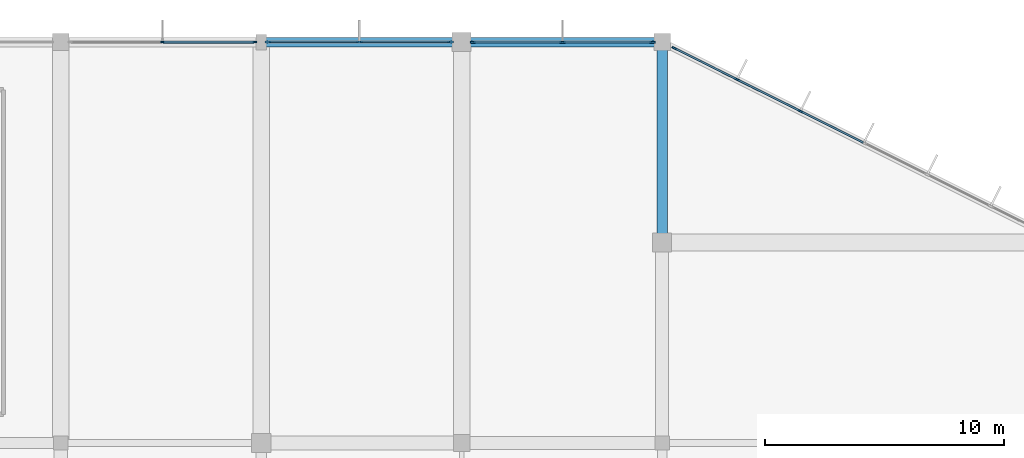
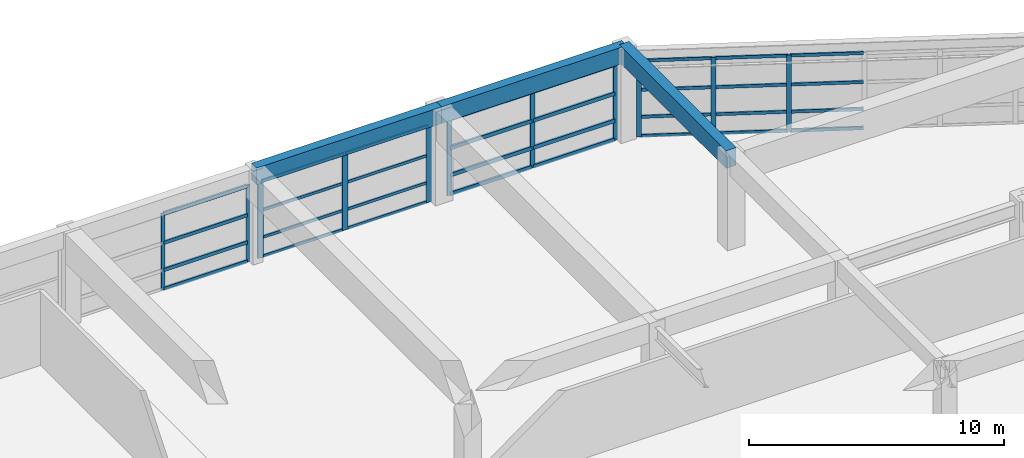
# One storey, part 41 of 65: 43 members, 3 beams, 4 elements without a shape of their own.
"""IFC4 building model written with IfcOpenShell, lengths in metres."""

from ifc_helpers import new_model, si_unit, direction, frame, origin, origin_2d, place, context, subcontext, project, spatial, rectangle, extrude, material, material_profile, profile_set, type_object, element, aggregate, save


model = new_model("IFC4")

# Units and contexts
model_context = context("Model", 3, precision=1e-05, world=origin(), true_north=direction((0.0, 1.0)))
body_context = subcontext(model_context, "Body", "Model", "MODEL_VIEW")
ifc_project = project(units=[si_unit("LENGTHUNIT", "METRE"), si_unit("AREAUNIT", "SQUARE_METRE"), si_unit("VOLUMEUNIT", "CUBIC_METRE"), si_unit("PLANEANGLEUNIT", "RADIAN"), si_unit("MASSUNIT", "GRAM", prefix="KILO")], contexts=[model_context])

# Site, building, storey
site_placement = place(None, origin())
site = spatial("IfcSite", under=ifc_project, at=site_placement, CompositionType="ELEMENT")
building_placement = place(site_placement, origin())
building = spatial("IfcBuilding", under=site, at=building_placement, Name="Xuanlan Plaza Opera House", CompositionType="ELEMENT")
storey_placement = place(building_placement, frame((0.0, 0.0, 5.39990234375)))
storey = spatial("IfcBuildingStorey", under=building, at=storey_placement, Name="L01", CompositionType="ELEMENT", Elevation=5.39990234375)

# Curtain wall, members
ifc_material_1 = material(Name="Anodised Aluminium 6063-T6 and Low-E Glass", Category="aluminium")
curtain_wall_type_1 = type_object("IfcCurtainWallType", Name="ENV-CW-CW-06", PredefinedType="USERDEFINED", material=ifc_material_1)
curtain_wall_1_placement = place(storey_placement, origin())
curtain_wall_1 = element("IfcCurtainWall", 1, at=curtain_wall_1_placement, inside=storey, type_object=curtain_wall_type_1, Name="Acoustic Glazed Wall L01-033", ObjectType="ACOUSTIC GLAZED WALL", PredefinedType="USERDEFINED")
ifc_material_2 = material(Name="Anodised Aluminium 6063-T6", Category="aluminium")
ifc_material_profile_1 = material_profile(ifc_material_2, rectangle(XDim=0.06494140625, YDim=0.159912109375, at=origin_2d()), Name="ALU-M 65x160")
ifc_profile_set_1 = profile_set([ifc_material_profile_1], Name="Anodised Aluminium 6063-T6")
member_type_1 = type_object("IfcMemberType", Name="ENV-CWM-01", PredefinedType="MULLION", material=ifc_profile_set_1)
member_1_placement = place(storey_placement, frame((134.12255859375, 117.60009765625, 0.0), z_axis=(0.0, 0.0, 1.0), x_axis=(0.0, -1.0, 0.0)))
member_1 = element("IfcMember", 2, at=member_1_placement, type_object=member_type_1, Name="CW-06 mullion 1", PredefinedType="MULLION", context=body_context, shape_type="SweptSolid", body=[
    extrude(rectangle(XDim=0.06494140625, YDim=0.159912109375, at=origin_2d()), origin(), (0.0, 0.0, 1.0), 3.68017578125),
])
member_2_placement = place(storey_placement, frame((130.262451171875, 117.60009765625, 0.0), z_axis=(0.0, 0.0, 1.0), x_axis=(0.0, -1.0, 0.0)))
member_2 = element("IfcMember", 3, at=member_2_placement, type_object=member_type_1, Name="CW-06 mullion 2", PredefinedType="MULLION", context=body_context, shape_type="SweptSolid", body=[
    extrude(rectangle(XDim=0.06494140625, YDim=0.159912109375, at=origin_2d()), origin(), (0.0, 0.0, 1.0), 3.68017578125),
])

curtain_wall_type_2 = type_object("IfcCurtainWallType", Name="ENV-CW-CW-01", PredefinedType="USERDEFINED", material=ifc_material_1)
curtain_wall_2_placement = place(storey_placement, origin())
curtain_wall_2 = element("IfcCurtainWall", 4, at=curtain_wall_2_placement, inside=storey, type_object=curtain_wall_type_2, Name="Unitised Curtain Wall L01-030", ObjectType="UNITISED CURTAIN WALL", PredefinedType="USERDEFINED")
ifc_material_profile_2 = material_profile(ifc_material_2, rectangle(XDim=0.074951171875, YDim=0.199951171875, at=origin_2d()), Name="ALU-M 75x200")
ifc_profile_set_2 = profile_set([ifc_material_profile_2], Name="Anodised Aluminium 6063-T6")
member_type_2 = type_object("IfcMemberType", Name="ENV-CWM-03", PredefinedType="MULLION", material=ifc_profile_set_2)
member_3_placement = place(storey_placement, frame((156.99169921875, 114.7041015625, 0.0), z_axis=(0.0, 0.0, 1.0), x_axis=(-0.447213595499, -0.894427191001, 0.0)))
member_3 = element("IfcMember", 5, at=member_3_placement, type_object=member_type_2, Name="CW-01 mullion 5", PredefinedType="MULLION", context=body_context, shape_type="SweptSolid", body=[
    extrude(rectangle(XDim=0.074951171875, YDim=0.199951171875, at=origin_2d()), origin(), (0.0, 0.0, 1.0), 3.68017578125),
])
member_4_placement = place(storey_placement, frame((154.33349609375, 116.033203125, 0.0), z_axis=(0.0, 0.0, 1.0), x_axis=(-0.447213595499, -0.894427191001, 0.0)))
member_4 = element("IfcMember", 6, at=member_4_placement, type_object=member_type_2, Name="CW-01 mullion 6", PredefinedType="MULLION", context=body_context, shape_type="SweptSolid", body=[
    extrude(rectangle(XDim=0.074951171875, YDim=0.199951171875, at=origin_2d()), origin(), (0.0, 0.0, 1.0), 3.68017578125),
])
member_5_placement = place(storey_placement, frame((151.708740234375, 117.345703125, 0.0), z_axis=(0.0, 0.0, 1.0), x_axis=(-0.447213595499, -0.894427191001, 0.0)))
member_5 = element("IfcMember", 7, at=member_5_placement, type_object=member_type_2, Name="CW-01 mullion 7", PredefinedType="MULLION", context=body_context, shape_type="SweptSolid", body=[
    extrude(rectangle(XDim=0.074951171875, YDim=0.199951171875, at=origin_2d()), origin(), (0.0, 0.0, 1.0), 3.68017578125),
])

curtain_wall_type_3 = type_object("IfcCurtainWallType", Name="ENV-CW-CW-02", PredefinedType="USERDEFINED", material=ifc_material_1)
curtain_wall_3_placement = place(storey_placement, origin())
curtain_wall_3 = element("IfcCurtainWall", 8, at=curtain_wall_3_placement, inside=storey, type_object=curtain_wall_type_3, Name="Unitised Curtain Wall L01-031", ObjectType="UNITISED CURTAIN WALL", PredefinedType="USERDEFINED")
ifc_material_profile_3 = material_profile(ifc_material_2, rectangle(XDim=0.080078125, YDim=0.219970703125, at=origin_2d()), Name="ALU-M 80x220")
ifc_profile_set_3 = profile_set([ifc_material_profile_3], Name="Anodised Aluminium 6063-T6")
member_type_3 = type_object("IfcMemberType", Name="ENV-CWM-04", PredefinedType="MULLION", material=ifc_profile_set_3)
member_6_placement = place(storey_placement, frame((150.7900390625, 117.60009765625, 0.0), z_axis=(0.0, 0.0, 1.0), x_axis=(0.0, -1.0, 0.0)))
member_6 = element("IfcMember", 9, at=member_6_placement, type_object=member_type_3, Name="CW-02 mullion 1", PredefinedType="MULLION", context=body_context, shape_type="SweptSolid", body=[
    extrude(rectangle(XDim=0.080078125, YDim=0.219970703125, at=origin_2d()), origin(), (0.0, 0.0, 1.0), 3.68017578125),
])
member_7_placement = place(storey_placement, frame((147.02490234375, 117.60009765625, 0.0), z_axis=(0.0, 0.0, 1.0), x_axis=(0.0, -1.0, 0.0)))
member_7 = element("IfcMember", 10, at=member_7_placement, type_object=member_type_3, Name="CW-02 mullion 2", PredefinedType="MULLION", context=body_context, shape_type="SweptSolid", body=[
    extrude(rectangle(XDim=0.080078125, YDim=0.219970703125, at=origin_2d()), origin(), (0.0, 0.0, 1.0), 3.68017578125),
])
member_8_placement = place(storey_placement, frame((143.260009765625, 117.60009765625, 0.0), z_axis=(0.0, 0.0, 1.0), x_axis=(0.0, -1.0, 0.0)))
member_8 = element("IfcMember", 11, at=member_8_placement, type_object=member_type_3, Name="CW-02 mullion 3", PredefinedType="MULLION", context=body_context, shape_type="SweptSolid", body=[
    extrude(rectangle(XDim=0.080078125, YDim=0.219970703125, at=origin_2d()), origin(), (0.0, 0.0, 1.0), 3.68017578125),
])

curtain_wall_type_4 = type_object("IfcCurtainWallType", Name="ENV-CW-CW-03", PredefinedType="USERDEFINED", material=ifc_material_1)
curtain_wall_4_placement = place(storey_placement, origin())
curtain_wall_4 = element("IfcCurtainWall", 12, at=curtain_wall_4_placement, inside=storey, type_object=curtain_wall_type_4, Name="Unitised Curtain Wall L01-032", ObjectType="UNITISED CURTAIN WALL", PredefinedType="USERDEFINED")
ifc_material_profile_4 = material_profile(ifc_material_2, rectangle(XDim=0.090087890625, YDim=0.25, at=origin_2d()), Name="ALU-M 90x250")
ifc_profile_set_4 = profile_set([ifc_material_profile_4], Name="Anodised Aluminium 6063-T6")
member_type_4 = type_object("IfcMemberType", Name="ENV-CWM-05", PredefinedType="MULLION", material=ifc_profile_set_4)
member_9_placement = place(storey_placement, frame((142.3349609375, 117.60009765625, 0.0), z_axis=(0.0, 0.0, 1.0), x_axis=(0.0, -1.0, 0.0)))
member_9 = element("IfcMember", 13, at=member_9_placement, type_object=member_type_4, Name="CW-03 mullion 1", PredefinedType="MULLION", context=body_context, shape_type="SweptSolid", body=[
    extrude(rectangle(XDim=0.090087890625, YDim=0.25, at=origin_2d()), origin(), (0.0, 0.0, 1.0), 3.68017578125),
])
member_10_placement = place(storey_placement, frame((138.512451171875, 117.60009765625, 0.0), z_axis=(0.0, 0.0, 1.0), x_axis=(0.0, -1.0, 0.0)))
member_10 = element("IfcMember", 14, at=member_10_placement, type_object=member_type_4, Name="CW-03 mullion 2", PredefinedType="MULLION", context=body_context, shape_type="SweptSolid", body=[
    extrude(rectangle(XDim=0.090087890625, YDim=0.25, at=origin_2d()), origin(), (0.0, 0.0, 1.0), 3.68017578125),
])
member_11_placement = place(storey_placement, frame((134.68994140625, 117.60009765625, 0.0), z_axis=(0.0, 0.0, 1.0), x_axis=(0.0, -1.0, 0.0)))
member_11 = element("IfcMember", 15, at=member_11_placement, type_object=member_type_4, Name="CW-03 mullion 3", PredefinedType="MULLION", context=body_context, shape_type="SweptSolid", body=[
    extrude(rectangle(XDim=0.090087890625, YDim=0.25, at=origin_2d()), origin(), (0.0, 0.0, 1.0), 3.68017578125),
])
ifc_material_profile_5 = material_profile(ifc_material_2, rectangle(XDim=0.070068359375, YDim=0.135009765625, at=origin_2d()), Name="ALU-T 70x135")
ifc_profile_set_5 = profile_set([ifc_material_profile_5], Name="Anodised Aluminium 6063-T6")
member_type_5 = type_object("IfcMemberType", Name="ENV-CWT-02", PredefinedType="USERDEFINED", material=ifc_profile_set_5)
member_12_placement = place(storey_placement, frame((142.2900390625, 117.60009765625, 0.03515625), z_axis=(-1.0, 0.0, 0.0), x_axis=(0.0, -1.0, 0.0)))
member_12 = element("IfcMember", 16, at=member_12_placement, type_object=member_type_5, Name="CW-03 transom 1.1", ObjectType="TRANSOM", PredefinedType="USERDEFINED", context=body_context, shape_type="SweptSolid", body=[
    extrude(rectangle(XDim=0.070068359375, YDim=0.135009765625, at=origin_2d()), origin(), (0.0, 0.0, 1.0), 3.732421875),
])
member_13_placement = place(storey_placement, frame((142.2900390625, 117.60009765625, 0.9501953125), z_axis=(-1.0, 0.0, 0.0), x_axis=(0.0, -1.0, 0.0)))
member_13 = element("IfcMember", 17, at=member_13_placement, type_object=member_type_5, Name="CW-03 transom 1.2", ObjectType="TRANSOM", PredefinedType="USERDEFINED", context=body_context, shape_type="SweptSolid", body=[
    extrude(rectangle(XDim=0.070068359375, YDim=0.135009765625, at=origin_2d()), origin(), (0.0, 0.0, 1.0), 3.732421875),
])
member_14_placement = place(storey_placement, frame((142.2900390625, 117.60009765625, 2.25), z_axis=(-1.0, 0.0, 0.0), x_axis=(0.0, -1.0, 0.0)))
member_14 = element("IfcMember", 18, at=member_14_placement, type_object=member_type_5, Name="CW-03 transom 1.3", ObjectType="TRANSOM", PredefinedType="USERDEFINED", context=body_context, shape_type="SweptSolid", body=[
    extrude(rectangle(XDim=0.070068359375, YDim=0.135009765625, at=origin_2d()), origin(), (0.0, 0.0, 1.0), 3.732421875),
])
member_15_placement = place(storey_placement, frame((142.2900390625, 117.60009765625, 3.64501953125), z_axis=(-1.0, 0.0, 0.0), x_axis=(0.0, -1.0, 0.0)))
member_15 = element("IfcMember", 19, at=member_15_placement, type_object=member_type_5, Name="CW-03 transom 1.4", ObjectType="TRANSOM", PredefinedType="USERDEFINED", context=body_context, shape_type="SweptSolid", body=[
    extrude(rectangle(XDim=0.070068359375, YDim=0.135009765625, at=origin_2d()), origin(), (0.0, 0.0, 1.0), 3.732421875),
])
member_16_placement = place(storey_placement, frame((138.467529296875, 117.60009765625, 0.03515625), z_axis=(-1.0, 0.0, 0.0), x_axis=(0.0, -1.0, 0.0)))
member_16 = element("IfcMember", 20, at=member_16_placement, type_object=member_type_5, Name="CW-03 transom 2.1", ObjectType="TRANSOM", PredefinedType="USERDEFINED", context=body_context, shape_type="SweptSolid", body=[
    extrude(rectangle(XDim=0.070068359375, YDim=0.135009765625, at=origin_2d()), origin(), (0.0, 0.0, 1.0), 3.732421875),
])
member_17_placement = place(storey_placement, frame((138.467529296875, 117.60009765625, 0.9501953125), z_axis=(-1.0, 0.0, 0.0), x_axis=(0.0, -1.0, 0.0)))
member_17 = element("IfcMember", 21, at=member_17_placement, type_object=member_type_5, Name="CW-03 transom 2.2", ObjectType="TRANSOM", PredefinedType="USERDEFINED", context=body_context, shape_type="SweptSolid", body=[
    extrude(rectangle(XDim=0.070068359375, YDim=0.135009765625, at=origin_2d()), origin(), (0.0, 0.0, 1.0), 3.732421875),
])
member_18_placement = place(storey_placement, frame((138.467529296875, 117.60009765625, 2.25), z_axis=(-1.0, 0.0, 0.0), x_axis=(0.0, -1.0, 0.0)))
member_18 = element("IfcMember", 22, at=member_18_placement, type_object=member_type_5, Name="CW-03 transom 2.3", ObjectType="TRANSOM", PredefinedType="USERDEFINED", context=body_context, shape_type="SweptSolid", body=[
    extrude(rectangle(XDim=0.070068359375, YDim=0.135009765625, at=origin_2d()), origin(), (0.0, 0.0, 1.0), 3.732421875),
])
member_19_placement = place(storey_placement, frame((138.467529296875, 117.60009765625, 3.64501953125), z_axis=(-1.0, 0.0, 0.0), x_axis=(0.0, -1.0, 0.0)))
member_19 = element("IfcMember", 23, at=member_19_placement, type_object=member_type_5, Name="CW-03 transom 2.4", ObjectType="TRANSOM", PredefinedType="USERDEFINED", context=body_context, shape_type="SweptSolid", body=[
    extrude(rectangle(XDim=0.070068359375, YDim=0.135009765625, at=origin_2d()), origin(), (0.0, 0.0, 1.0), 3.732421875),
])
aggregate(curtain_wall_4, [member_9, member_10, member_11, member_12, member_13, member_14, member_15, member_16, member_17, member_18, member_19])

# Member
ifc_material_profile_6 = material_profile(ifc_material_2, rectangle(XDim=0.074951171875, YDim=0.14990234375, at=origin_2d()), Name="ALU-T 75x150")
ifc_profile_set_6 = profile_set([ifc_material_profile_6], Name="Anodised Aluminium 6063-T6")
member_type_6 = type_object("IfcMemberType", Name="ENV-CWT-03", PredefinedType="USERDEFINED", material=ifc_profile_set_6)
member_20_placement = place(storey_placement, frame((159.616455078125, 113.391845703125, 0.03759765625), z_axis=(-0.894444045995, 0.447179883921, 0.0), x_axis=(-0.447179883921, -0.894444045995, 0.0)))
member_20 = element("IfcMember", 24, at=member_20_placement, type_object=member_type_6, Name="CW-01 transom 4.1", ObjectType="TRANSOM", PredefinedType="USERDEFINED", context=body_context, shape_type="SweptSolid", body=[
    extrude(rectangle(XDim=0.074951171875, YDim=0.14990234375, at=origin_2d()), origin(), (0.0, 0.0, 1.0), 2.896728515625),
])

member_21_placement = place(storey_placement, frame((159.616455078125, 113.391845703125, 0.9501953125), z_axis=(-0.894444045995, 0.447179883921, 0.0), x_axis=(-0.447179883921, -0.894444045995, 0.0)))
member_21 = element("IfcMember", 25, at=member_21_placement, type_object=member_type_6, Name="CW-01 transom 4.2", ObjectType="TRANSOM", PredefinedType="USERDEFINED", context=body_context, shape_type="SweptSolid", body=[
    extrude(rectangle(XDim=0.074951171875, YDim=0.14990234375, at=origin_2d()), origin(), (0.0, 0.0, 1.0), 2.896728515625),
])

member_22_placement = place(storey_placement, frame((159.616455078125, 113.391845703125, 2.25), z_axis=(-0.894444045995, 0.447179883921, 0.0), x_axis=(-0.447179883921, -0.894444045995, 0.0)))
member_22 = element("IfcMember", 26, at=member_22_placement, type_object=member_type_6, Name="CW-01 transom 4.3", ObjectType="TRANSOM", PredefinedType="USERDEFINED", context=body_context, shape_type="SweptSolid", body=[
    extrude(rectangle(XDim=0.074951171875, YDim=0.14990234375, at=origin_2d()), origin(), (0.0, 0.0, 1.0), 2.896728515625),
])

member_23_placement = place(storey_placement, frame((159.616455078125, 113.391845703125, 3.642578125), z_axis=(-0.894444045995, 0.447179883921, 0.0), x_axis=(-0.447179883921, -0.894444045995, 0.0)))
member_23 = element("IfcMember", 27, at=member_23_placement, type_object=member_type_6, Name="CW-01 transom 4.4", ObjectType="TRANSOM", PredefinedType="USERDEFINED", context=body_context, shape_type="SweptSolid", body=[
    extrude(rectangle(XDim=0.074951171875, YDim=0.14990234375, at=origin_2d()), origin(), (0.0, 0.0, 1.0), 2.896728515625),
])

member_24_placement = place(storey_placement, frame((156.958251953125, 114.720947265625, 0.03759765625), z_axis=(-0.894427191, 0.4472135955, 0.0), x_axis=(-0.4472135955, -0.894427191, 0.0)))
member_24 = element("IfcMember", 28, at=member_24_placement, type_object=member_type_6, Name="CW-01 transom 5.1", ObjectType="TRANSOM", PredefinedType="USERDEFINED", context=body_context, shape_type="SweptSolid", body=[
    extrude(rectangle(XDim=0.074951171875, YDim=0.14990234375, at=origin_2d()), origin(), (0.0, 0.0, 1.0), 2.897216796875),
])

member_25_placement = place(storey_placement, frame((156.958251953125, 114.720947265625, 0.9501953125), z_axis=(-0.894427191, 0.4472135955, 0.0), x_axis=(-0.4472135955, -0.894427191, 0.0)))
member_25 = element("IfcMember", 29, at=member_25_placement, type_object=member_type_6, Name="CW-01 transom 5.2", ObjectType="TRANSOM", PredefinedType="USERDEFINED", context=body_context, shape_type="SweptSolid", body=[
    extrude(rectangle(XDim=0.074951171875, YDim=0.14990234375, at=origin_2d()), origin(), (0.0, 0.0, 1.0), 2.897216796875),
])

member_26_placement = place(storey_placement, frame((156.958251953125, 114.720947265625, 2.25), z_axis=(-0.894427191, 0.4472135955, 0.0), x_axis=(-0.4472135955, -0.894427191, 0.0)))
member_26 = element("IfcMember", 30, at=member_26_placement, type_object=member_type_6, Name="CW-01 transom 5.3", ObjectType="TRANSOM", PredefinedType="USERDEFINED", context=body_context, shape_type="SweptSolid", body=[
    extrude(rectangle(XDim=0.074951171875, YDim=0.14990234375, at=origin_2d()), origin(), (0.0, 0.0, 1.0), 2.897216796875),
])

member_27_placement = place(storey_placement, frame((156.958251953125, 114.720947265625, 3.642578125), z_axis=(-0.894427191, 0.4472135955, 0.0), x_axis=(-0.4472135955, -0.894427191, 0.0)))
member_27 = element("IfcMember", 31, at=member_27_placement, type_object=member_type_6, Name="CW-01 transom 5.4", ObjectType="TRANSOM", PredefinedType="USERDEFINED", context=body_context, shape_type="SweptSolid", body=[
    extrude(rectangle(XDim=0.074951171875, YDim=0.14990234375, at=origin_2d()), origin(), (0.0, 0.0, 1.0), 2.897216796875),
])

member_28_placement = place(storey_placement, frame((154.2998046875, 116.050048828125, 0.03759765625), z_axis=(-0.894427191, 0.4472135955, 0.0), x_axis=(-0.4472135955, -0.894427191, 0.0)))
member_28 = element("IfcMember", 32, at=member_28_placement, type_object=member_type_6, Name="CW-01 transom 6.1", ObjectType="TRANSOM", PredefinedType="USERDEFINED", context=body_context, shape_type="SweptSolid", body=[
    extrude(rectangle(XDim=0.074951171875, YDim=0.14990234375, at=origin_2d()), origin(), (0.0, 0.0, 1.0), 2.859619140625),
])

member_29_placement = place(storey_placement, frame((154.2998046875, 116.050048828125, 0.9501953125), z_axis=(-0.894427191, 0.4472135955, 0.0), x_axis=(-0.4472135955, -0.894427191, 0.0)))
member_29 = element("IfcMember", 33, at=member_29_placement, type_object=member_type_6, Name="CW-01 transom 6.2", ObjectType="TRANSOM", PredefinedType="USERDEFINED", context=body_context, shape_type="SweptSolid", body=[
    extrude(rectangle(XDim=0.074951171875, YDim=0.14990234375, at=origin_2d()), origin(), (0.0, 0.0, 1.0), 2.859619140625),
])

member_30_placement = place(storey_placement, frame((154.2998046875, 116.050048828125, 2.25), z_axis=(-0.894427191, 0.4472135955, 0.0), x_axis=(-0.4472135955, -0.894427191, 0.0)))
member_30 = element("IfcMember", 34, at=member_30_placement, type_object=member_type_6, Name="CW-01 transom 6.3", ObjectType="TRANSOM", PredefinedType="USERDEFINED", context=body_context, shape_type="SweptSolid", body=[
    extrude(rectangle(XDim=0.074951171875, YDim=0.14990234375, at=origin_2d()), origin(), (0.0, 0.0, 1.0), 2.859619140625),
])

member_31_placement = place(storey_placement, frame((154.2998046875, 116.050048828125, 3.642578125), z_axis=(-0.894427191, 0.4472135955, 0.0), x_axis=(-0.4472135955, -0.894427191, 0.0)))
member_31 = element("IfcMember", 35, at=member_31_placement, type_object=member_type_6, Name="CW-01 transom 6.4", ObjectType="TRANSOM", PredefinedType="USERDEFINED", context=body_context, shape_type="SweptSolid", body=[
    extrude(rectangle(XDim=0.074951171875, YDim=0.14990234375, at=origin_2d()), origin(), (0.0, 0.0, 1.0), 2.859619140625),
])

aggregate(curtain_wall_2, [member_3, member_4, member_5, member_20, member_21, member_22, member_23, member_24, member_25, member_26, member_27, member_28, member_29, member_30, member_31])

ifc_material_profile_7 = material_profile(ifc_material_2, rectangle(XDim=0.080078125, YDim=0.1650390625, at=origin_2d()), Name="ALU-T 80x165")
ifc_profile_set_7 = profile_set([ifc_material_profile_7], Name="Anodised Aluminium 6063-T6")
member_type_7 = type_object("IfcMemberType", Name="ENV-CWT-04", PredefinedType="USERDEFINED", material=ifc_profile_set_7)
member_32_placement = place(storey_placement, frame((134.090087890625, 117.60009765625, 0.0400390625), z_axis=(-1.0, 0.0, 0.0), x_axis=(0.0, -1.0, 0.0)))
member_32 = element("IfcMember", 36, at=member_32_placement, type_object=member_type_7, Name="CW-06 transom 1.1", ObjectType="TRANSOM", PredefinedType="USERDEFINED", context=body_context, shape_type="SweptSolid", body=[
    extrude(rectangle(XDim=0.080078125, YDim=0.1650390625, at=origin_2d()), origin(), (0.0, 0.0, 1.0), 3.795166015625),
])

member_33_placement = place(storey_placement, frame((134.090087890625, 117.60009765625, 0.9501953125), z_axis=(-1.0, 0.0, 0.0), x_axis=(0.0, -1.0, 0.0)))
member_33 = element("IfcMember", 37, at=member_33_placement, type_object=member_type_7, Name="CW-06 transom 1.2", ObjectType="TRANSOM", PredefinedType="USERDEFINED", context=body_context, shape_type="SweptSolid", body=[
    extrude(rectangle(XDim=0.080078125, YDim=0.1650390625, at=origin_2d()), origin(), (0.0, 0.0, 1.0), 3.795166015625),
])

member_34_placement = place(storey_placement, frame((134.090087890625, 117.60009765625, 2.25), z_axis=(-1.0, 0.0, 0.0), x_axis=(0.0, -1.0, 0.0)))
member_34 = element("IfcMember", 38, at=member_34_placement, type_object=member_type_7, Name="CW-06 transom 1.3", ObjectType="TRANSOM", PredefinedType="USERDEFINED", context=body_context, shape_type="SweptSolid", body=[
    extrude(rectangle(XDim=0.080078125, YDim=0.1650390625, at=origin_2d()), origin(), (0.0, 0.0, 1.0), 3.795166015625),
])

member_35_placement = place(storey_placement, frame((134.090087890625, 117.60009765625, 3.64013671875), z_axis=(-1.0, 0.0, 0.0), x_axis=(0.0, -1.0, 0.0)))
member_35 = element("IfcMember", 39, at=member_35_placement, type_object=member_type_7, Name="CW-06 transom 1.4", ObjectType="TRANSOM", PredefinedType="USERDEFINED", context=body_context, shape_type="SweptSolid", body=[
    extrude(rectangle(XDim=0.080078125, YDim=0.1650390625, at=origin_2d()), origin(), (0.0, 0.0, 1.0), 3.795166015625),
])

aggregate(curtain_wall_1, [member_1, member_2, member_32, member_33, member_34, member_35])

ifc_material_profile_8 = material_profile(ifc_material_2, rectangle(XDim=0.090087890625, YDim=0.179931640625, at=origin_2d()), Name="ALU-T 90x180")
ifc_profile_set_8 = profile_set([ifc_material_profile_8], Name="Anodised Aluminium 6063-T6")
member_type_8 = type_object("IfcMemberType", Name="ENV-CWT-05", PredefinedType="USERDEFINED", material=ifc_profile_set_8)
member_36_placement = place(storey_placement, frame((150.75, 117.60009765625, 0.045166015625), z_axis=(-1.0, 0.0, 0.0), x_axis=(0.0, -1.0, 0.0)))
member_36 = element("IfcMember", 40, at=member_36_placement, type_object=member_type_8, Name="CW-02 transom 1.1", ObjectType="TRANSOM", PredefinedType="USERDEFINED", context=body_context, shape_type="SweptSolid", body=[
    extrude(rectangle(XDim=0.090087890625, YDim=0.179931640625, at=origin_2d()), origin(), (0.0, 0.0, 1.0), 3.68505859375),
])

member_37_placement = place(storey_placement, frame((150.75, 117.60009765625, 0.9501953125), z_axis=(-1.0, 0.0, 0.0), x_axis=(0.0, -1.0, 0.0)))
member_37 = element("IfcMember", 41, at=member_37_placement, type_object=member_type_8, Name="CW-02 transom 1.2", ObjectType="TRANSOM", PredefinedType="USERDEFINED", context=body_context, shape_type="SweptSolid", body=[
    extrude(rectangle(XDim=0.090087890625, YDim=0.179931640625, at=origin_2d()), origin(), (0.0, 0.0, 1.0), 3.68505859375),
])

member_38_placement = place(storey_placement, frame((150.75, 117.60009765625, 2.25), z_axis=(-1.0, 0.0, 0.0), x_axis=(0.0, -1.0, 0.0)))
member_38 = element("IfcMember", 42, at=member_38_placement, type_object=member_type_8, Name="CW-02 transom 1.3", ObjectType="TRANSOM", PredefinedType="USERDEFINED", context=body_context, shape_type="SweptSolid", body=[
    extrude(rectangle(XDim=0.090087890625, YDim=0.179931640625, at=origin_2d()), origin(), (0.0, 0.0, 1.0), 3.68505859375),
])

member_39_placement = place(storey_placement, frame((150.75, 117.60009765625, 3.635009765625), z_axis=(-1.0, 0.0, 0.0), x_axis=(0.0, -1.0, 0.0)))
member_39 = element("IfcMember", 43, at=member_39_placement, type_object=member_type_8, Name="CW-02 transom 1.4", ObjectType="TRANSOM", PredefinedType="USERDEFINED", context=body_context, shape_type="SweptSolid", body=[
    extrude(rectangle(XDim=0.090087890625, YDim=0.179931640625, at=origin_2d()), origin(), (0.0, 0.0, 1.0), 3.68505859375),
])

member_40_placement = place(storey_placement, frame((146.985107421875, 117.60009765625, 0.045166015625), z_axis=(-1.0, 0.0, 0.0), x_axis=(0.0, -1.0, 0.0)))
member_40 = element("IfcMember", 44, at=member_40_placement, type_object=member_type_8, Name="CW-02 transom 2.1", ObjectType="TRANSOM", PredefinedType="USERDEFINED", context=body_context, shape_type="SweptSolid", body=[
    extrude(rectangle(XDim=0.090087890625, YDim=0.179931640625, at=origin_2d()), origin(), (0.0, 0.0, 1.0), 3.68505859375),
])

member_41_placement = place(storey_placement, frame((146.985107421875, 117.60009765625, 0.9501953125), z_axis=(-1.0, 0.0, 0.0), x_axis=(0.0, -1.0, 0.0)))
member_41 = element("IfcMember", 45, at=member_41_placement, type_object=member_type_8, Name="CW-02 transom 2.2", ObjectType="TRANSOM", PredefinedType="USERDEFINED", context=body_context, shape_type="SweptSolid", body=[
    extrude(rectangle(XDim=0.090087890625, YDim=0.179931640625, at=origin_2d()), origin(), (0.0, 0.0, 1.0), 3.68505859375),
])

member_42_placement = place(storey_placement, frame((146.985107421875, 117.60009765625, 2.25), z_axis=(-1.0, 0.0, 0.0), x_axis=(0.0, -1.0, 0.0)))
member_42 = element("IfcMember", 46, at=member_42_placement, type_object=member_type_8, Name="CW-02 transom 2.3", ObjectType="TRANSOM", PredefinedType="USERDEFINED", context=body_context, shape_type="SweptSolid", body=[
    extrude(rectangle(XDim=0.090087890625, YDim=0.179931640625, at=origin_2d()), origin(), (0.0, 0.0, 1.0), 3.68505859375),
])

member_43_placement = place(storey_placement, frame((146.985107421875, 117.60009765625, 3.635009765625), z_axis=(-1.0, 0.0, 0.0), x_axis=(0.0, -1.0, 0.0)))
member_43 = element("IfcMember", 47, at=member_43_placement, type_object=member_type_8, Name="CW-02 transom 2.4", ObjectType="TRANSOM", PredefinedType="USERDEFINED", context=body_context, shape_type="SweptSolid", body=[
    extrude(rectangle(XDim=0.090087890625, YDim=0.179931640625, at=origin_2d()), origin(), (0.0, 0.0, 1.0), 3.68505859375),
])

aggregate(curtain_wall_3, [member_6, member_7, member_8, member_36, member_37, member_38, member_39, member_40, member_41, member_42, member_43])

# Beams
ifc_material_3 = material(Name="Concrete C40", Category="concrete")
ifc_material_profile_9 = material_profile(ifc_material_3, rectangle(XDim=0.449951171875, YDim=0.85009765625, at=origin_2d()), Name="RC-BM 450x850")
ifc_profile_set_9 = profile_set([ifc_material_profile_9], Name="Concrete C40")
beam_type_1 = type_object("IfcBeamType", Name="STR-BM-B-04", PredefinedType="BEAM", material=ifc_profile_set_9)
beam_1_placement = place(storey_placement, frame((151.199951171875, 109.199951171875, 4.0751953125), z_axis=(0.0, 1.0, 0.0), x_axis=(-1.0, 0.0, 0.0)))
element("IfcBeam", 48, at=beam_1_placement, inside=storey, type_object=beam_type_1, Name="Grid Beam Y L01 19/N-O", PredefinedType="BEAM", context=body_context, shape_type="SweptSolid", body=[
    extrude(rectangle(XDim=0.449951171875, YDim=0.85009765625, at=origin_2d()), origin(), (0.0, 0.0, 1.0), 8.400146484375),
])
ifc_material_profile_10 = material_profile(ifc_material_3, rectangle(XDim=0.39990234375, YDim=0.800048828125, at=origin_2d()), Name="RC-SPD 400x800")
ifc_profile_set_10 = profile_set([ifc_material_profile_10], Name="Concrete C40")
beam_type_2 = type_object("IfcBeamType", Name="STR-BM-SP-01", PredefinedType="SPANDREL", material=ifc_profile_set_10)
beam_2_placement = place(storey_placement, frame((134.39990234375, 117.60009765625, 4.10009765625), z_axis=(1.0, 0.0, 0.0), x_axis=(0.0, 1.0, 0.0)))
element("IfcBeam", 49, at=beam_2_placement, inside=storey, type_object=beam_type_2, Name="Grid Beam X L01 17-18/O", PredefinedType="SPANDREL", context=body_context, shape_type="SweptSolid", body=[
    extrude(rectangle(XDim=0.39990234375, YDim=0.800048828125, at=origin_2d()), origin(), (0.0, 0.0, 1.0), 8.400146484375),
])
beam_3_placement = place(storey_placement, frame((142.800048828125, 117.60009765625, 4.10009765625), z_axis=(1.0, 0.0, 0.0), x_axis=(0.0, 1.0, 0.0)))
element("IfcBeam", 50, at=beam_3_placement, inside=storey, type_object=beam_type_2, Name="Grid Beam X L01 18-19/O", PredefinedType="SPANDREL", context=body_context, shape_type="SweptSolid", body=[
    extrude(rectangle(XDim=0.39990234375, YDim=0.800048828125, at=origin_2d()), origin(), (0.0, 0.0, 1.0), 8.39990234375),
])

save(model, "model.ifc")
